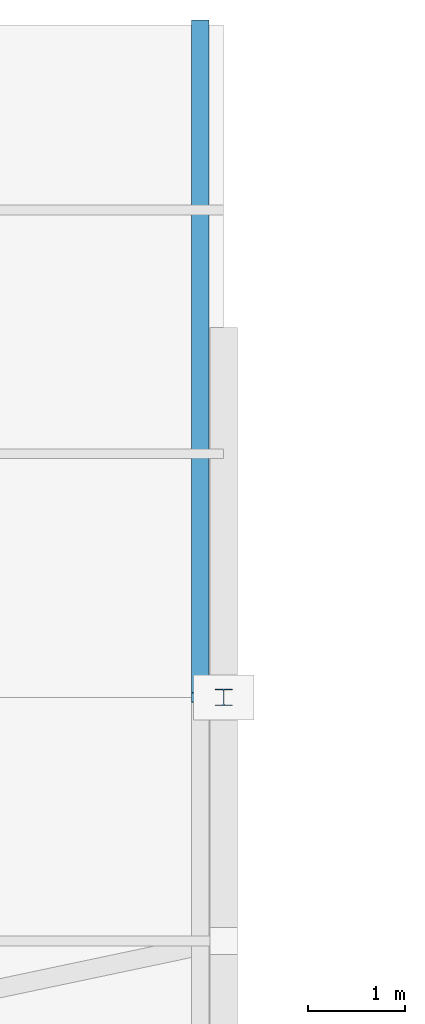
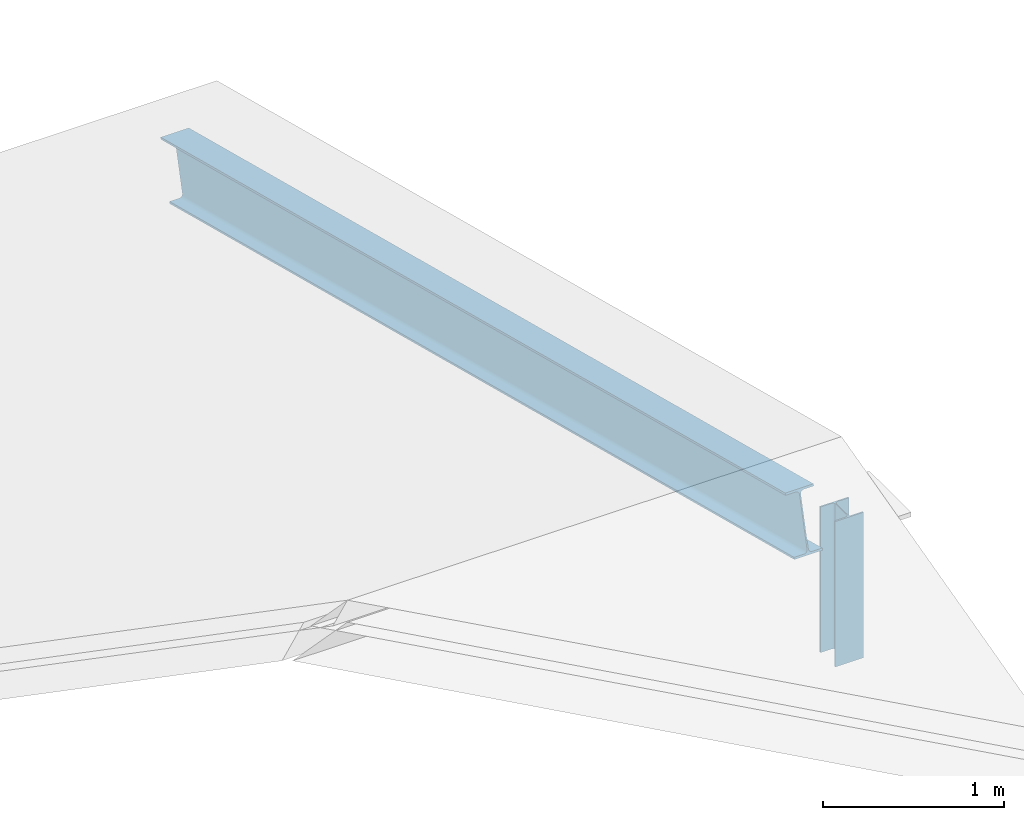
# One storey, part 19 of 31: 2 members.
"""IFC4 building model written with IfcOpenShell, lengths in metres."""

from ifc_helpers import new_model, si_unit, direction, frame, origin, origin_2d, place, context, subcontext, project, spatial, i_section, extrude, material, material_profile, profile_set, type_object, element, save


model = new_model("IFC4")

# Units and contexts
model_context = context("Model", 3, precision=1e-05, world=origin(), true_north=direction((0.0, 1.0)))
body_context = subcontext(model_context, "Body", "Model", "MODEL_VIEW")
ifc_project = project(units=[si_unit("LENGTHUNIT", "METRE"), si_unit("AREAUNIT", "SQUARE_METRE"), si_unit("VOLUMEUNIT", "CUBIC_METRE"), si_unit("PLANEANGLEUNIT", "RADIAN"), si_unit("MASSUNIT", "GRAM", prefix="KILO")], contexts=[model_context])

# Site, building, storey
site_placement = place(None, origin())
site = spatial("IfcSite", under=ifc_project, at=site_placement, CompositionType="ELEMENT")
building_placement = place(site_placement, origin())
building = spatial("IfcBuilding", under=site, at=building_placement, Name="Clarverna Civic Hall", CompositionType="ELEMENT")
storey_placement = place(building_placement, frame((0.0, 0.0, 31.199951171875)))
storey = spatial("IfcBuildingStorey", under=building, at=storey_placement, Name="RF", CompositionType="ELEMENT", Elevation=31.199951171875)

# Members
ifc_material = material(Name="Steel S355", Category="steel")
ifc_material_profile_1 = material_profile(ifc_material, i_section(OverallWidth=0.179931640625, OverallDepth=0.1708984375, WebThickness=0.006103515625, FlangeThickness=0.009521484375, FilletRadius=0.014892578125, at=origin_2d()), Name="HEA 180")
ifc_profile_set_1 = profile_set([ifc_material_profile_1], Name="Steel S355")
member_type_1 = type_object("IfcMemberType", Name="CH-04", PredefinedType="CHORD", material=ifc_profile_set_1)
member_1_placement = place(storey_placement, frame((66.60009765625, 109.10009765625, -10.346923828125), z_axis=(0.0, 0.0, 1.0), x_axis=(1.0, 0.0, 0.0)))
element("IfcMember", 1, at=member_1_placement, inside=storey, type_object=member_type_1, Name="CH-04-093", PredefinedType="CHORD", context=body_context, shape_type="SweptSolid", body=[
    extrude(i_section(OverallWidth=0.179931640625, OverallDepth=0.1708984375, WebThickness=0.006103515625, FlangeThickness=0.009521484375, FilletRadius=0.014892578125, at=origin_2d()), origin(), (0.0, 0.0, 1.0), 0.9814453125),
])
ifc_material_profile_2 = material_profile(ifc_material, i_section(OverallWidth=0.179931640625, OverallDepth=0.39990234375, WebThickness=0.008544921875, FlangeThickness=0.013427734375, FilletRadius=0.02099609375, at=origin_2d()), Name="IPE 400")
ifc_profile_set_2 = profile_set([ifc_material_profile_2], Name="Steel S355")
member_type_2 = type_object("IfcMemberType", Name="RF-01", PredefinedType="RAFTER", material=ifc_profile_set_2)
member_2_placement = place(storey_placement, frame((66.360107421875, 116.0, -11.14990234375), z_axis=(0.0, -0.968148056974, 0.250378393193), x_axis=(1.0, 0.0, 0.0)))
element("IfcMember", 2, at=member_2_placement, inside=storey, type_object=member_type_2, Name="RF-01-018", PredefinedType="RAFTER", context=body_context, shape_type="SweptSolid", body=[
    extrude(i_section(OverallWidth=0.179931640625, OverallDepth=0.39990234375, WebThickness=0.008544921875, FlangeThickness=0.013427734375, FilletRadius=0.02099609375, at=origin_2d()), origin(), (0.0, 0.0, 1.0), 7.126953125),
])

save(model, "model.ifc")
